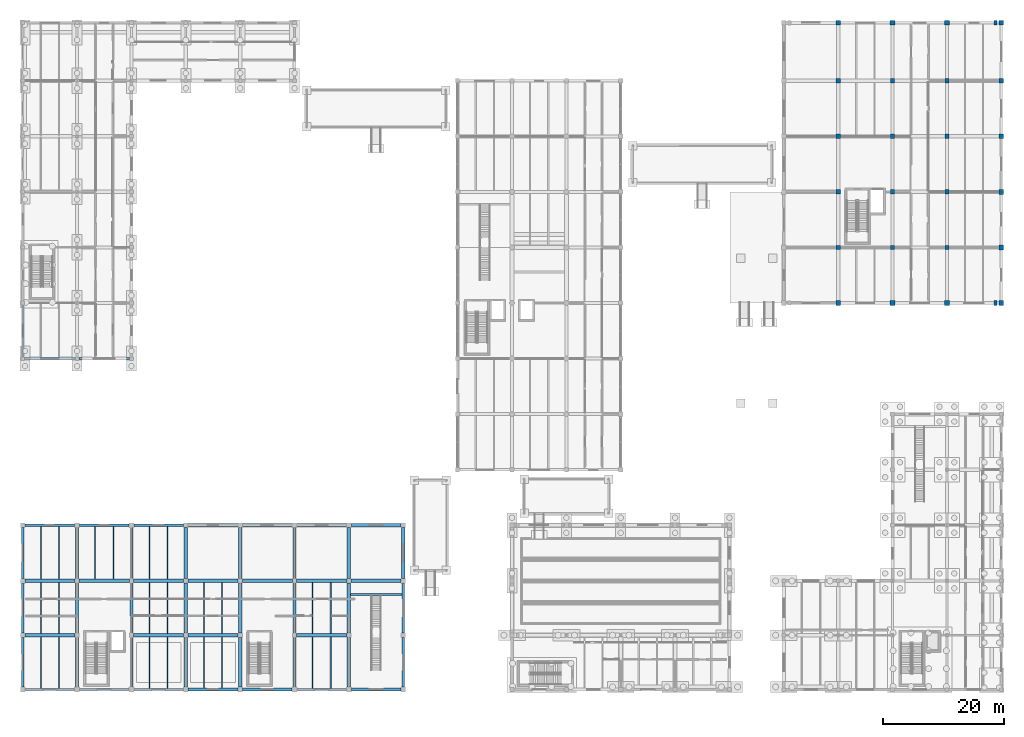
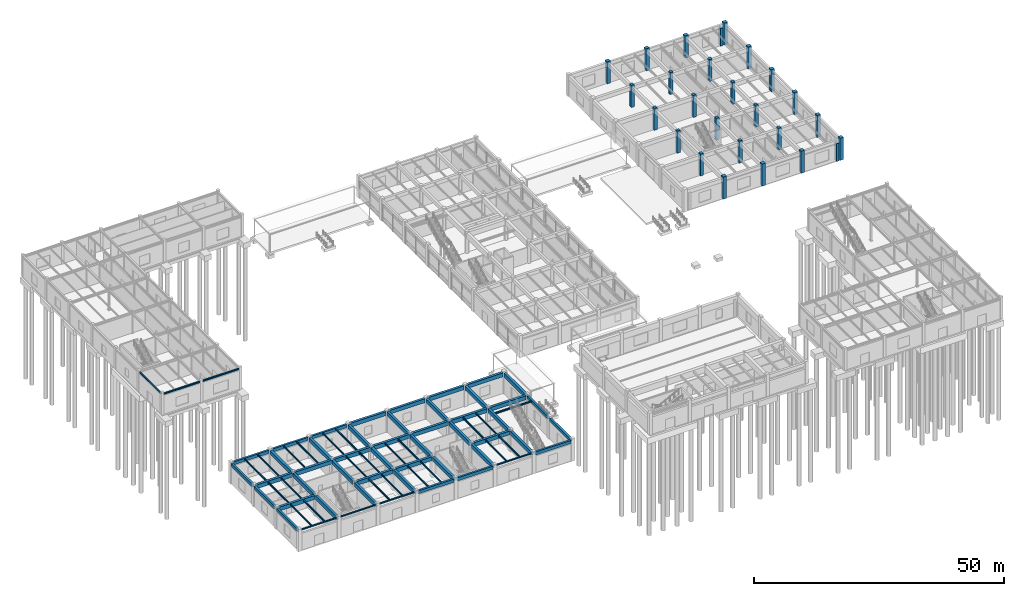
# One storey, part 26 of 76: 75 beams, 26 columns.
"""IFC4 building model written with IfcOpenShell, lengths in metres."""

import ifcopenshell
import ifcopenshell.guid

model = None  # the IFC model being written
_history = None  # IfcOwnerHistory: only IFC2X3 demands one
_inside = {}  # id of a spatial element -> (the spatial element, [elements in it])
_under = {}  # id of a project, library or spatial element -> (it, [spatial elements below it])
_declared = {}  # id of a project -> (the project, [libraries it declares])
_typed = {}  # id of a type object -> (the type object, [elements of that type])
_made_of = {}  # id of a material, layer set ... -> (it, [elements and type objects made of it])


def new_model(schema):
    """Start an empty IFC model of exactly this schema.

    Asked for "IFC4X3", IfcOpenShell would pick the latest addendum, in which some entities
    have other attributes; the version numbers below select the first issue.
    IFC2X3 requires an IfcOwnerHistory on every rooted entity: one is made here for all.
    """
    global model, _history
    if schema == "IFC4X3":
        model = ifcopenshell.file(schema_version=(4, 3, 0, 0))
    else:
        model = ifcopenshell.file(schema=schema)
    _inside.clear()
    _under.clear()
    _declared.clear()
    _typed.clear()
    _made_of.clear()
    _history = None
    if model.schema == "IFC2X3":
        org = make("IfcOrganization", Name="unknown")
        user = make(
            "IfcPersonAndOrganization",
            ThePerson=make("IfcPerson", FamilyName="unknown"),
            TheOrganization=org,
        )
        app = make(
            "IfcApplication",
            ApplicationDeveloper=org,
            Version="unknown",
            ApplicationFullName="unknown",
            ApplicationIdentifier="unknown",
        )
        _history = make(
            "IfcOwnerHistory",
            OwningUser=user,
            OwningApplication=app,
            ChangeAction="ADDED",
            CreationDate=0,
        )
    return model


def make(cls, **values):
    """One entity of the class cls with the attributes given. An attribute that is None is left unset."""
    return model.create_entity(
        cls, **{name: value for name, value in values.items() if value is not None}
    )


def rooted(cls, **values):
    """An entity with a GlobalId (a new one), such as an element, a storey or a relation."""
    return make(cls, GlobalId=ifcopenshell.guid.new(), OwnerHistory=_history, **values)


def si_unit(unit_type, name, prefix=None):
    """IfcSIUnit, for example si_unit("LENGTHUNIT", "METRE", prefix="MILLI")."""
    return make("IfcSIUnit", UnitType=unit_type, Prefix=prefix, Name=name)


def assignment(units):
    """IfcUnitAssignment: the units of a project."""
    return None if units is None else make("IfcUnitAssignment", Units=units)


def point(xyz):
    """IfcCartesianPoint."""
    return None if xyz is None else make("IfcCartesianPoint", Coordinates=xyz)


def direction(xyz):
    """IfcDirection."""
    return None if xyz is None else make("IfcDirection", DirectionRatios=xyz)


def frame(location, z_axis=None, x_axis=None):
    """IfcAxis2Placement3D, a coordinate frame: its origin and axes. An axis left out is left unset."""
    return make(
        "IfcAxis2Placement3D",
        Location=point(location),
        Axis=direction(z_axis),
        RefDirection=direction(x_axis),
    )


def frame_2d(location, x_axis=None):
    """IfcAxis2Placement2D, a coordinate frame in the plane: its origin and x axis."""
    return make(
        "IfcAxis2Placement2D", Location=point(location), RefDirection=direction(x_axis)
    )


def origin():
    """The frame at (0, 0, 0) with its axes left unset."""
    return frame((0.0, 0.0, 0.0))


def origin_2d():
    """The frame at (0, 0) in the plane with its x axis left unset."""
    return frame_2d((0.0, 0.0))


def place(relative_to, where):
    """IfcLocalPlacement: puts the frame where relative to a parent placement (None: the world)."""
    return make(
        "IfcLocalPlacement", PlacementRelTo=relative_to, RelativePlacement=where
    )


def context(
    kind, dimensions, precision=None, world=None, true_north=None, identifier=None
):
    """IfcGeometricRepresentationContext, for example the 3D "Model" context."""
    return make(
        "IfcGeometricRepresentationContext",
        ContextIdentifier=identifier,
        ContextType=kind,
        CoordinateSpaceDimension=dimensions,
        Precision=precision,
        WorldCoordinateSystem=world,
        TrueNorth=true_north,
    )


def subcontext(parent, identifier, kind, view, scale=None):
    """IfcGeometricRepresentationSubContext, for example "Body" below "Model"."""
    return make(
        "IfcGeometricRepresentationSubContext",
        ContextIdentifier=identifier,
        ContextType=kind,
        ParentContext=parent,
        TargetScale=scale,
        TargetView=view,
    )


def project(units=None, contexts=None):
    """IfcProject with its units and contexts."""
    return rooted(
        "IfcProject",
        Name="project",
        RepresentationContexts=contexts,
        UnitsInContext=assignment(units),
    )


def spatial(cls, under=None, at=None, **own):
    """A site, building, storey or space (cls), placed at a placement, below another one or the project."""
    s = rooted(cls, ObjectPlacement=at, **own)
    if under is not None:
        _under.setdefault(under.id(), (under, []))[1].append(s)
    return s


def profile(cls, at=None, kind="AREA", **sizes):
    """A parametric profile (cls). Its sizes go by their IFC names, for example OverallWidth=200.0."""
    return make(cls, ProfileType=kind, Position=at, **sizes)


def rectangle(**sizes):
    """IfcRectangleProfileDef."""
    return profile("IfcRectangleProfileDef", **sizes)


def i_section(**sizes):
    """IfcIShapeProfileDef."""
    return profile("IfcIShapeProfileDef", **sizes)


def extrude(swept, where, along, depth):
    """IfcExtrudedAreaSolid: the profile swept, set in the frame where, extruded along a direction by depth."""
    return make(
        "IfcExtrudedAreaSolid",
        SweptArea=swept,
        Position=where,
        ExtrudedDirection=direction(along),
        Depth=depth,
    )


def shape(context_of_items, identifier, shape_type, items):
    """IfcShapeRepresentation: the items that make up one representation, for example the "Body"."""
    return make(
        "IfcShapeRepresentation",
        ContextOfItems=context_of_items,
        RepresentationIdentifier=identifier,
        RepresentationType=shape_type,
        Items=items,
    )


def material(Name=None, Category=None):
    """IfcMaterial."""
    return make("IfcMaterial", Name=Name, Category=Category)


def material_profile(
    of_material, cross_section, Name=None, Category=None, Priority=None
):
    """IfcMaterialProfile: a cross section and its material."""
    return make(
        "IfcMaterialProfile",
        Name=Name,
        Material=of_material,
        Profile=cross_section,
        Priority=Priority,
        Category=Category,
    )


def profile_set(profiles, Name=None, composite=None):
    """IfcMaterialProfileSet."""
    return make(
        "IfcMaterialProfileSet",
        Name=Name,
        MaterialProfiles=profiles,
        CompositeProfile=composite,
    )


def made_of(thing, what):
    """Note that an element or type object is made of a material, layer set ...; save() writes the relation."""
    if what is not None:
        _made_of.setdefault(what.id(), (what, []))[1].append(thing)
    return thing


def type_object(cls, material=None, **own):
    """A type object (cls), such as IfcWallType, which elements share."""
    return made_of(rooted(cls, **own), material)


def element(
    cls,
    number,
    at=None,
    inside=None,
    cuts=None,
    type_object=None,
    material=None,
    context=None,
    identifier="Body",
    shape_type=None,
    held_by="IfcProductDefinitionShape",
    body=None,
    shapes=None,
    **own,
):
    """One element of the class cls, such as IfcWall. Its Tag is "e" and its number.

    at: its placement. inside: the storey or other place that contains it. cuts: it is an
    opening in that element (IfcRelVoidsElement). A single representation is given by context,
    identifier, shape_type and body (its items); several are given by shapes. held_by: the class
    of the entity that holds the representations. save() writes the other relations.
    """
    e = rooted(cls, Tag="e%d" % number, ObjectPlacement=at, **own)
    if body is not None:
        shapes = [shape(context, identifier, shape_type, body)]
    if shapes is not None:
        e.Representation = make(held_by, Representations=shapes)
    if inside is not None:
        _inside.setdefault(inside.id(), (inside, []))[1].append(e)
    if cuts is not None:
        rooted(
            "IfcRelVoidsElement", RelatingBuildingElement=cuts, RelatedOpeningElement=e
        )
    if type_object is not None:
        _typed.setdefault(type_object.id(), (type_object, []))[1].append(e)
    return made_of(e, material)


def aggregate(whole, parts):
    """IfcRelAggregates: a whole, such as a stair, and the parts it consists of."""
    return rooted("IfcRelAggregates", RelatingObject=whole, RelatedObjects=parts)


def save(model, path):
    """Write the relations noted so far, then the file.

    IfcRelAggregates (storeys below a building ...), IfcRelContainedInSpatialStructure (elements
    in a storey), IfcRelDefinesByType, IfcRelAssociatesMaterial and IfcRelDeclares: one each for
    every whole, place, type object, material and project.
    """
    for whole, parts in _under.values():
        aggregate(whole, parts)
    for where, things in _inside.values():
        rooted(
            "IfcRelContainedInSpatialStructure",
            RelatedElements=things,
            RelatingStructure=where,
        )
    for kind, things in _typed.values():
        rooted("IfcRelDefinesByType", RelatedObjects=things, RelatingType=kind)
    for what, things in _made_of.values():
        rooted("IfcRelAssociatesMaterial", RelatedObjects=things, RelatingMaterial=what)
    for by, libraries in _declared.values():
        rooted("IfcRelDeclares", RelatingContext=by, RelatedDefinitions=libraries)
    model.write(path)


model = new_model("IFC4")

# Units and contexts
model_context = context("Model", 3, precision=1e-05, world=origin(), true_north=direction((0.0, 1.0)))
body_context = subcontext(model_context, "Body", "Model", "MODEL_VIEW")
ifc_project = project(units=[si_unit("LENGTHUNIT", "METRE"), si_unit("AREAUNIT", "SQUARE_METRE"), si_unit("VOLUMEUNIT", "CUBIC_METRE"), si_unit("PLANEANGLEUNIT", "RADIAN"), si_unit("MASSUNIT", "GRAM", prefix="KILO")], contexts=[model_context])

# Site, building, storey
site_placement = place(None, origin())
site = spatial("IfcSite", under=ifc_project, at=site_placement, CompositionType="ELEMENT")
building_placement = place(site_placement, origin())
building = spatial("IfcBuilding", under=site, at=building_placement, Name="Bozkorgan Art Gallery", CompositionType="ELEMENT")
storey_placement = place(building_placement, origin())
storey = spatial("IfcBuildingStorey", under=building, at=storey_placement, Name="L00", CompositionType="ELEMENT", Elevation=0.0)

# Columns
ifc_material_1 = material(Name="Concrete C40/50", Category="concrete")
ifc_material_profile_1 = material_profile(ifc_material_1, rectangle(XDim=0.699951171875, YDim=0.699951171875, at=origin_2d()), Name="RC 700x700")
ifc_profile_set_1 = profile_set([ifc_material_profile_1], Name="Concrete C40/50")
column_type_1 = type_object("IfcColumnType", Name="COLUMN-C-11", PredefinedType="COLUMN", material=ifc_profile_set_1)
for number, where, z_axis, x_axis, name in (
    (1, (137.0, 75.199951171875, 0.0), (0.0, 0.0, 1.0), (1.0, 0.0, 0.0), "V5 L00 column (137.0, 75.2)"),
    (2, (137.0, 84.39990234375, 0.0), (0.0, 0.0, 1.0), (1.0, 0.0, 0.0), "V5 L00 column (137.0, 84.4)"),
    (3, (137.0, 93.60009765625, 0.0), (0.0, 0.0, 1.0), (1.0, 0.0, 0.0), "V5 L00 column (137.0, 93.6)"),
    (4, (137.0, 102.800048828125, 0.0), (0.0, 0.0, 1.0), (1.0, 0.0, 0.0), "V5 L00 column (137.0, 102.8)"),
    (5, (146.0, 75.199951171875, 0.0), (0.0, 0.0, 1.0), (1.0, 0.0, 0.0), "V5 L00 column (146.0, 75.2)"),
    (6, (146.0, 84.39990234375, 0.0), (0.0, 0.0, 1.0), (1.0, 0.0, 0.0), "V5 L00 column (146.0, 84.4)"),
    (7, (146.0, 93.60009765625, 0.0), (0.0, 0.0, 1.0), (1.0, 0.0, 0.0), "V5 L00 column (146.0, 93.6)"),
    (8, (146.0, 102.800048828125, 0.0), (0.0, 0.0, 1.0), (1.0, 0.0, 0.0), "V5 L00 column (146.0, 102.8)"),
    (9, (155.0, 75.199951171875, 0.0), (0.0, 0.0, 1.0), (1.0, 0.0, 0.0), "V5 L00 column (155.0, 75.2)"),
    (10, (155.0, 84.39990234375, 0.0), (0.0, 0.0, 1.0), (1.0, 0.0, 0.0), "V5 L00 column (155.0, 84.4)"),
    (11, (155.0, 93.60009765625, 0.0), (0.0, 0.0, 1.0), (1.0, 0.0, 0.0), "V5 L00 column (155.0, 93.6)"),
    (12, (155.0, 102.800048828125, 0.0), (0.0, 0.0, 1.0), (1.0, 0.0, 0.0), "V5 L00 column (155.0, 102.8)"),
):
    element("IfcColumn", number, at=place(storey_placement, frame(where, z_axis=z_axis, x_axis=x_axis)), inside=storey, type_object=column_type_1, Name=name, PredefinedType="COLUMN", context=body_context, shape_type="SweptSolid", body=[
        extrude(rectangle(XDim=0.699951171875, YDim=0.699951171875, at=origin_2d()), origin(), (0.0, 0.0, 1.0), 5.39990234375),
    ])
ifc_material_profile_2 = material_profile(ifc_material_1, rectangle(XDim=0.800048828125, YDim=0.800048828125, at=origin_2d()), Name="RC 800x800")
ifc_profile_set_2 = profile_set([ifc_material_profile_2], Name="Concrete C40/50")
column_type_2 = type_object("IfcColumnType", Name="COLUMN-C-45", PredefinedType="COLUMN", material=ifc_profile_set_2)
for number, where, z_axis, x_axis, name in (
    (13, (137.0, 66.0, 0.0), (0.0, 0.0, 1.0), (1.0, 0.0, 0.0), "V5 L00 column (137.0, 66.0)"),
    (14, (137.0, 112.39990234375, 0.0), (0.0, 0.0, 1.0), (1.0, 0.0, 0.0), "V5 L00 column (137.0, 112.4)"),
    (15, (146.0, 66.0, 0.0), (0.0, 0.0, 1.0), (1.0, 0.0, 0.0), "V5 L00 column (146.0, 66.0)"),
    (16, (146.0, 112.39990234375, 0.0), (0.0, 0.0, 1.0), (1.0, 0.0, 0.0), "V5 L00 column (146.0, 112.4)"),
    (17, (155.0, 66.0, 0.0), (0.0, 0.0, 1.0), (1.0, 0.0, 0.0), "V5 L00 column (155.0, 66.0)"),
    (18, (155.0, 112.39990234375, 0.0), (0.0, 0.0, 1.0), (1.0, 0.0, 0.0), "V5 L00 column (155.0, 112.4)"),
    (19, (164.0, 66.0, 0.0), (0.0, 0.0, 1.0), (1.0, 0.0, 0.0), "V5 L00 column (164.0, 66.0)"),
    (20, (164.0, 75.199951171875, 0.0), (0.0, 0.0, 1.0), (1.0, 0.0, 0.0), "V5 L00 column (164.0, 75.2)"),
    (21, (164.0, 84.39990234375, 0.0), (0.0, 0.0, 1.0), (1.0, 0.0, 0.0), "V5 L00 column (164.0, 84.4)"),
    (22, (164.0, 93.60009765625, 0.0), (0.0, 0.0, 1.0), (1.0, 0.0, 0.0), "V5 L00 column (164.0, 93.6)"),
    (23, (164.0, 102.800048828125, 0.0), (0.0, 0.0, 1.0), (1.0, 0.0, 0.0), "V5 L00 column (164.0, 102.8)"),
    (24, (164.0, 112.39990234375, 0.0), (0.0, 0.0, 1.0), (1.0, 0.0, 0.0), "V5 L00 column (164.0, 112.4)"),
):
    element("IfcColumn", number, at=place(storey_placement, frame(where, z_axis=z_axis, x_axis=x_axis)), inside=storey, type_object=column_type_2, Name=name, PredefinedType="COLUMN", context=body_context, shape_type="SweptSolid", body=[
        extrude(rectangle(XDim=0.800048828125, YDim=0.800048828125, at=origin_2d()), origin(), (0.0, 0.0, 1.0), 5.39990234375),
    ])
ifc_material_profile_3 = material_profile(ifc_material_1, rectangle(XDim=0.5, YDim=0.800048828125, at=origin_2d()), Name="RC 500x800")
ifc_profile_set_3 = profile_set([ifc_material_profile_3], Name="Concrete C40/50")
column_type_3 = type_object("IfcColumnType", Name="COLUMN-PL-73", PredefinedType="PILASTER", material=ifc_profile_set_3)
for number, where, z_axis, x_axis, name in (
    (25, (163.050048828125, 66.0, 0.0), (0.0, 0.0, 1.0), (1.0, 0.0, 0.0), "V5 L00 corner masonry pilaster 6"),
    (26, (163.050048828125, 112.39990234375, 0.0), (0.0, 0.0, 1.0), (1.0, 0.0, 0.0), "V5 L00 corner masonry pilaster 8"),
):
    element("IfcColumn", number, at=place(storey_placement, frame(where, z_axis=z_axis, x_axis=x_axis)), inside=storey, type_object=column_type_3, Name=name, PredefinedType="PILASTER", context=body_context, shape_type="SweptSolid", body=[
        extrude(rectangle(XDim=0.5, YDim=0.800048828125, at=origin_2d()), origin(), (0.0, 0.0, 1.0), 4.35009765625),
    ])

# Beams
ifc_material_2 = material(Name="Concrete C35/45", Category="concrete")
ifc_material_profile_4 = material_profile(ifc_material_2, rectangle(XDim=0.550048828125, YDim=0.949951171875, at=origin_2d()), Name="RC 550x950")
ifc_profile_set_4 = profile_set([ifc_material_profile_4], Name="Concrete C35/45")
beam_type_1 = type_object("IfcBeamType", Name="BEAM-BM-97", PredefinedType="BEAM", material=ifc_profile_set_4)
beam_1_placement = place(storey_placement, frame((2.39990234375, 11.0, 4.5849609375), z_axis=(1.0, 0.0, 0.0), x_axis=(0.0, 1.0, 0.0)))
element("IfcBeam", 27, at=beam_1_placement, inside=storey, type_object=beam_type_1, Name="V1 L00 beam X (2-11, 11.0)", PredefinedType="BEAM", context=body_context, shape_type="SweptSolid", body=[
    extrude(rectangle(XDim=0.550048828125, YDim=0.949951171875, at=origin_2d()), origin(), (0.0, 0.0, 1.0), 8.25),
])
for number, where, z_axis, x_axis, name in (
    (28, (20.35009765625, 11.0, 4.5849609375), (1.0, 0.0, 0.0), (0.0, 1.0, 0.0), "V1 L00 beam X (20-29, 11.0)"),
    (29, (29.35009765625, 11.0, 4.5849609375), (1.0, 0.0, 0.0), (0.0, 1.0, 0.0), "V1 L00 beam X (29-38, 11.0)"),
    (30, (47.35009765625, 11.0, 4.5849609375), (1.0, 0.0, 0.0), (0.0, 1.0, 0.0), "V1 L00 beam X (47-56, 11.0)"),
):
    element("IfcBeam", number, at=place(storey_placement, frame(where, z_axis=z_axis, x_axis=x_axis)), inside=storey, type_object=beam_type_1, Name=name, PredefinedType="BEAM", context=body_context, shape_type="SweptSolid", body=[
        extrude(rectangle(XDim=0.550048828125, YDim=0.949951171875, at=origin_2d()), origin(), (0.0, 0.0, 1.0), 8.2998046875),
    ])
beam_2_placement = place(storey_placement, frame((2.39990234375, 20.0, 4.5849609375), z_axis=(1.0, 0.0, 0.0), x_axis=(0.0, 1.0, 0.0)))
element("IfcBeam", 31, at=beam_2_placement, inside=storey, type_object=beam_type_1, Name="V1 L00 beam X (2-11, 20.0)", PredefinedType="BEAM", context=body_context, shape_type="SweptSolid", body=[
    extrude(rectangle(XDim=0.550048828125, YDim=0.949951171875, at=origin_2d()), origin(), (0.0, 0.0, 1.0), 8.25),
])
for number, where, z_axis, x_axis, name in (
    (32, (11.35009765625, 20.0, 4.5849609375), (1.0, 0.0, 0.0), (0.0, 1.0, 0.0), "V1 L00 beam X (11-20, 20.0)"),
    (33, (20.35009765625, 20.0, 4.5849609375), (1.0, 0.0, 0.0), (0.0, 1.0, 0.0), "V1 L00 beam X (20-29, 20.0)"),
    (34, (29.35009765625, 20.0, 4.5849609375), (1.0, 0.0, 0.0), (0.0, 1.0, 0.0), "V1 L00 beam X (29-38, 20.0)"),
    (35, (38.35009765625, 20.0, 4.5849609375), (1.0, 0.0, 0.0), (0.0, 1.0, 0.0), "V1 L00 beam X (38-47, 20.0)"),
    (36, (47.35009765625, 20.0, 4.5849609375), (1.0, 0.0, 0.0), (0.0, 1.0, 0.0), "V1 L00 beam X (47-56, 20.0)"),
):
    element("IfcBeam", number, at=place(storey_placement, frame(where, z_axis=z_axis, x_axis=x_axis)), inside=storey, type_object=beam_type_1, Name=name, PredefinedType="BEAM", context=body_context, shape_type="SweptSolid", body=[
        extrude(rectangle(XDim=0.550048828125, YDim=0.949951171875, at=origin_2d()), origin(), (0.0, 0.0, 1.0), 8.2998046875),
    ])
beam_3_placement = place(storey_placement, frame((56.35009765625, 20.0, 4.5849609375), z_axis=(1.0, 0.0, 0.0), x_axis=(0.0, 1.0, 0.0)))
element("IfcBeam", 37, at=beam_3_placement, inside=storey, type_object=beam_type_1, Name="V1 L00 beam X (56-65, 20.0)", PredefinedType="BEAM", context=body_context, shape_type="SweptSolid", body=[
    extrude(rectangle(XDim=0.550048828125, YDim=0.949951171875, at=origin_2d()), origin(), (0.0, 0.0, 1.0), 8.25),
])
for number, where, z_axis, x_axis, name in (
    (38, (29.39990234375, 29.199951171875, 4.5849609375), (1.0, 0.0, 0.0), (0.0, 1.0, 0.0), "V1 L00 beam X (29-38, 29.2)"),
    (39, (38.39990234375, 29.199951171875, 4.5849609375), (1.0, 0.0, 0.0), (0.0, 1.0, 0.0), "V1 L00 beam X (38-47, 29.2)"),
    (40, (47.39990234375, 29.199951171875, 4.5849609375), (1.0, 0.0, 0.0), (0.0, 1.0, 0.0), "V1 L00 beam X (47-56, 29.2)"),
    (41, (56.39990234375, 29.199951171875, 4.5849609375), (1.0, 0.0, 0.0), (0.0, 1.0, 0.0), "V1 L00 beam X (56-65, 29.2)"),
):
    element("IfcBeam", number, at=place(storey_placement, frame(where, z_axis=z_axis, x_axis=x_axis)), inside=storey, type_object=beam_type_1, Name=name, PredefinedType="BEAM", context=body_context, shape_type="SweptSolid", body=[
        extrude(rectangle(XDim=0.550048828125, YDim=0.949951171875, at=origin_2d()), origin(), (0.0, 0.0, 1.0), 8.2001953125),
    ])
beam_4_placement = place(storey_placement, frame((11.0, 2.39990234375, 4.5849609375), z_axis=(0.0, 1.0, 0.0), x_axis=(-1.0, 0.0, 0.0)))
element("IfcBeam", 42, at=beam_4_placement, inside=storey, type_object=beam_type_1, Name="V1 L00 beam Y (11, 2.0-11.0)", PredefinedType="BEAM", context=body_context, shape_type="SweptSolid", body=[
    extrude(rectangle(XDim=0.550048828125, YDim=0.949951171875, at=origin_2d()), origin(), (0.0, 0.0, 1.0), 8.25),
])
beam_5_placement = place(storey_placement, frame((11.0, 11.35009765625, 4.5849609375), z_axis=(0.0, 1.0, 0.0), x_axis=(-1.0, 0.0, 0.0)))
element("IfcBeam", 43, at=beam_5_placement, inside=storey, type_object=beam_type_1, Name="V1 L00 beam Y (11, 11.0-20.0)", PredefinedType="BEAM", context=body_context, shape_type="SweptSolid", body=[
    extrude(rectangle(XDim=0.550048828125, YDim=0.949951171875, at=origin_2d()), origin(), (0.0, 0.0, 1.0), 8.2998046875),
])
beam_6_placement = place(storey_placement, frame((11.0, 20.35009765625, 4.5849609375), z_axis=(0.0, 1.0, 0.0), x_axis=(-1.0, 0.0, 0.0)))
element("IfcBeam", 44, at=beam_6_placement, inside=storey, type_object=beam_type_1, Name="V1 L00 beam Y (11, 20.0-29.2)", PredefinedType="BEAM", context=body_context, shape_type="SweptSolid", body=[
    extrude(rectangle(XDim=0.550048828125, YDim=0.949951171875, at=origin_2d()), origin(), (0.0, 0.0, 1.0), 8.449951171875),
])
beam_7_placement = place(storey_placement, frame((20.0, 2.39990234375, 4.5849609375), z_axis=(0.0, 1.0, 0.0), x_axis=(-1.0, 0.0, 0.0)))
element("IfcBeam", 45, at=beam_7_placement, inside=storey, type_object=beam_type_1, Name="V1 L00 beam Y (20, 2.0-11.0)", PredefinedType="BEAM", context=body_context, shape_type="SweptSolid", body=[
    extrude(rectangle(XDim=0.550048828125, YDim=0.949951171875, at=origin_2d()), origin(), (0.0, 0.0, 1.0), 8.25),
])
beam_8_placement = place(storey_placement, frame((20.0, 11.35009765625, 4.5849609375), z_axis=(0.0, 1.0, 0.0), x_axis=(-1.0, 0.0, 0.0)))
element("IfcBeam", 46, at=beam_8_placement, inside=storey, type_object=beam_type_1, Name="V1 L00 beam Y (20, 11.0-20.0)", PredefinedType="BEAM", context=body_context, shape_type="SweptSolid", body=[
    extrude(rectangle(XDim=0.550048828125, YDim=0.949951171875, at=origin_2d()), origin(), (0.0, 0.0, 1.0), 8.2998046875),
])
beam_9_placement = place(storey_placement, frame((20.0, 20.35009765625, 4.5849609375), z_axis=(0.0, 1.0, 0.0), x_axis=(-1.0, 0.0, 0.0)))
element("IfcBeam", 47, at=beam_9_placement, inside=storey, type_object=beam_type_1, Name="V1 L00 beam Y (20, 20.0-29.2)", PredefinedType="BEAM", context=body_context, shape_type="SweptSolid", body=[
    extrude(rectangle(XDim=0.550048828125, YDim=0.949951171875, at=origin_2d()), origin(), (0.0, 0.0, 1.0), 8.449951171875),
])
beam_10_placement = place(storey_placement, frame((29.0, 2.39990234375, 4.5849609375), z_axis=(0.0, 1.0, 0.0), x_axis=(-1.0, 0.0, 0.0)))
element("IfcBeam", 48, at=beam_10_placement, inside=storey, type_object=beam_type_1, Name="V1 L00 beam Y (29, 2.0-11.0)", PredefinedType="BEAM", context=body_context, shape_type="SweptSolid", body=[
    extrude(rectangle(XDim=0.550048828125, YDim=0.949951171875, at=origin_2d()), origin(), (0.0, 0.0, 1.0), 8.25),
])
beam_11_placement = place(storey_placement, frame((29.0, 11.35009765625, 4.5849609375), z_axis=(0.0, 1.0, 0.0), x_axis=(-1.0, 0.0, 0.0)))
element("IfcBeam", 49, at=beam_11_placement, inside=storey, type_object=beam_type_1, Name="V1 L00 beam Y (29, 11.0-20.0)", PredefinedType="BEAM", context=body_context, shape_type="SweptSolid", body=[
    extrude(rectangle(XDim=0.550048828125, YDim=0.949951171875, at=origin_2d()), origin(), (0.0, 0.0, 1.0), 8.2998046875),
])
beam_12_placement = place(storey_placement, frame((29.0, 20.35009765625, 4.5849609375), z_axis=(0.0, 1.0, 0.0), x_axis=(-1.0, 0.0, 0.0)))
element("IfcBeam", 50, at=beam_12_placement, inside=storey, type_object=beam_type_1, Name="V1 L00 beam Y (29, 20.0-29.2)", PredefinedType="BEAM", context=body_context, shape_type="SweptSolid", body=[
    extrude(rectangle(XDim=0.550048828125, YDim=0.949951171875, at=origin_2d()), origin(), (0.0, 0.0, 1.0), 8.449951171875),
])
beam_13_placement = place(storey_placement, frame((38.0, 2.39990234375, 4.5849609375), z_axis=(0.0, 1.0, 0.0), x_axis=(-1.0, 0.0, 0.0)))
element("IfcBeam", 51, at=beam_13_placement, inside=storey, type_object=beam_type_1, Name="V1 L00 beam Y (38, 2.0-11.0)", PredefinedType="BEAM", context=body_context, shape_type="SweptSolid", body=[
    extrude(rectangle(XDim=0.550048828125, YDim=0.949951171875, at=origin_2d()), origin(), (0.0, 0.0, 1.0), 8.25),
])
beam_14_placement = place(storey_placement, frame((38.0, 11.35009765625, 4.5849609375), z_axis=(0.0, 1.0, 0.0), x_axis=(-1.0, 0.0, 0.0)))
element("IfcBeam", 52, at=beam_14_placement, inside=storey, type_object=beam_type_1, Name="V1 L00 beam Y (38, 11.0-20.0)", PredefinedType="BEAM", context=body_context, shape_type="SweptSolid", body=[
    extrude(rectangle(XDim=0.550048828125, YDim=0.949951171875, at=origin_2d()), origin(), (0.0, 0.0, 1.0), 8.2998046875),
])
beam_15_placement = place(storey_placement, frame((38.0, 20.35009765625, 4.5849609375), z_axis=(0.0, 1.0, 0.0), x_axis=(-1.0, 0.0, 0.0)))
element("IfcBeam", 53, at=beam_15_placement, inside=storey, type_object=beam_type_1, Name="V1 L00 beam Y (38, 20.0-29.2)", PredefinedType="BEAM", context=body_context, shape_type="SweptSolid", body=[
    extrude(rectangle(XDim=0.550048828125, YDim=0.949951171875, at=origin_2d()), origin(), (0.0, 0.0, 1.0), 8.449951171875),
])
beam_16_placement = place(storey_placement, frame((47.0, 2.39990234375, 4.5849609375), z_axis=(0.0, 1.0, 0.0), x_axis=(-1.0, 0.0, 0.0)))
element("IfcBeam", 54, at=beam_16_placement, inside=storey, type_object=beam_type_1, Name="V1 L00 beam Y (47, 2.0-11.0)", PredefinedType="BEAM", context=body_context, shape_type="SweptSolid", body=[
    extrude(rectangle(XDim=0.550048828125, YDim=0.949951171875, at=origin_2d()), origin(), (0.0, 0.0, 1.0), 8.25),
])
beam_17_placement = place(storey_placement, frame((47.0, 11.35009765625, 4.5849609375), z_axis=(0.0, 1.0, 0.0), x_axis=(-1.0, 0.0, 0.0)))
element("IfcBeam", 55, at=beam_17_placement, inside=storey, type_object=beam_type_1, Name="V1 L00 beam Y (47, 11.0-20.0)", PredefinedType="BEAM", context=body_context, shape_type="SweptSolid", body=[
    extrude(rectangle(XDim=0.550048828125, YDim=0.949951171875, at=origin_2d()), origin(), (0.0, 0.0, 1.0), 8.2998046875),
])
beam_18_placement = place(storey_placement, frame((47.0, 20.35009765625, 4.5849609375), z_axis=(0.0, 1.0, 0.0), x_axis=(-1.0, 0.0, 0.0)))
element("IfcBeam", 56, at=beam_18_placement, inside=storey, type_object=beam_type_1, Name="V1 L00 beam Y (47, 20.0-29.2)", PredefinedType="BEAM", context=body_context, shape_type="SweptSolid", body=[
    extrude(rectangle(XDim=0.550048828125, YDim=0.949951171875, at=origin_2d()), origin(), (0.0, 0.0, 1.0), 8.449951171875),
])
beam_19_placement = place(storey_placement, frame((56.0, 2.39990234375, 4.5849609375), z_axis=(0.0, 1.0, 0.0), x_axis=(-1.0, 0.0, 0.0)))
element("IfcBeam", 57, at=beam_19_placement, inside=storey, type_object=beam_type_1, Name="V1 L00 beam Y (56, 2.0-11.0)", PredefinedType="BEAM", context=body_context, shape_type="SweptSolid", body=[
    extrude(rectangle(XDim=0.550048828125, YDim=0.949951171875, at=origin_2d()), origin(), (0.0, 0.0, 1.0), 8.25),
])
beam_20_placement = place(storey_placement, frame((56.0, 11.35009765625, 4.5849609375), z_axis=(0.0, 1.0, 0.0), x_axis=(-1.0, 0.0, 0.0)))
element("IfcBeam", 58, at=beam_20_placement, inside=storey, type_object=beam_type_1, Name="V1 L00 beam Y (56, 11.0-20.0)", PredefinedType="BEAM", context=body_context, shape_type="SweptSolid", body=[
    extrude(rectangle(XDim=0.550048828125, YDim=0.949951171875, at=origin_2d()), origin(), (0.0, 0.0, 1.0), 8.2998046875),
])
beam_21_placement = place(storey_placement, frame((56.0, 20.35009765625, 4.5849609375), z_axis=(0.0, 1.0, 0.0), x_axis=(-1.0, 0.0, 0.0)))
element("IfcBeam", 59, at=beam_21_placement, inside=storey, type_object=beam_type_1, Name="V1 L00 beam Y (56, 20.0-29.2)", PredefinedType="BEAM", context=body_context, shape_type="SweptSolid", body=[
    extrude(rectangle(XDim=0.550048828125, YDim=0.949951171875, at=origin_2d()), origin(), (0.0, 0.0, 1.0), 8.449951171875),
])
beam_22_placement = place(storey_placement, frame((65.0, 20.39990234375, 4.5849609375), z_axis=(0.0, 1.0, 0.0), x_axis=(-1.0, 0.0, 0.0)))
element("IfcBeam", 60, at=beam_22_placement, inside=storey, type_object=beam_type_1, Name="V1 L00 beam Y (65, 20.0-29.2)", PredefinedType="BEAM", context=body_context, shape_type="SweptSolid", body=[
    extrude(rectangle(XDim=0.550048828125, YDim=0.949951171875, at=origin_2d()), origin(), (0.0, 0.0, 1.0), 8.400146484375),
])
ifc_material_3 = material(Name="Steel S355J2", Category="steel")
ifc_material_profile_5 = material_profile(ifc_material_3, i_section(OverallWidth=0.179931640625, OverallDepth=0.39990234375, WebThickness=0.008544921875, FlangeThickness=0.013427734375, FilletRadius=0.02099609375, at=origin_2d()), Name="IPE 400")
ifc_profile_set_5 = profile_set([ifc_material_profile_5], Name="Steel S355J2")
beam_type_2 = type_object("IfcBeamType", Name="BEAM-JS-83", PredefinedType="JOIST", material=ifc_profile_set_5)
for number, where, z_axis, x_axis, name in (
    (61, (5.0, 2.139892578125, 4.860107421875), (0.0, 1.0, 0.0), (-1.0, 0.0, 0.0), "V1 L00 secondary joist (2-11, 2.0-11.0) #1"),
    (62, (8.0, 2.139892578125, 4.860107421875), (0.0, 1.0, 0.0), (-1.0, 0.0, 0.0), "V1 L00 secondary joist (2-11, 2.0-11.0) #2"),
):
    element("IfcBeam", number, at=place(storey_placement, frame(where, z_axis=z_axis, x_axis=x_axis)), inside=storey, type_object=beam_type_2, Name=name, PredefinedType="JOIST", context=body_context, shape_type="SweptSolid", body=[
        extrude(i_section(OverallWidth=0.179931640625, OverallDepth=0.39990234375, WebThickness=0.008544921875, FlangeThickness=0.013427734375, FilletRadius=0.02099609375, at=origin_2d()), origin(), (0.0, 0.0, 1.0), 8.585205078125),
    ])
for number, where, z_axis, x_axis, name in (
    (63, (5.0, 11.27490234375, 4.860107421875), (0.0, 1.0, 0.0), (-1.0, 0.0, 0.0), "V1 L00 secondary joist (2-11, 11.0-20.0) #1"),
    (64, (8.0, 11.27490234375, 4.860107421875), (0.0, 1.0, 0.0), (-1.0, 0.0, 0.0), "V1 L00 secondary joist (2-11, 11.0-20.0) #2"),
):
    element("IfcBeam", number, at=place(storey_placement, frame(where, z_axis=z_axis, x_axis=x_axis)), inside=storey, type_object=beam_type_2, Name=name, PredefinedType="JOIST", context=body_context, shape_type="SweptSolid", body=[
        extrude(i_section(OverallWidth=0.179931640625, OverallDepth=0.39990234375, WebThickness=0.008544921875, FlangeThickness=0.013427734375, FilletRadius=0.02099609375, at=origin_2d()), origin(), (0.0, 0.0, 1.0), 8.4501953125),
    ])
for number, where, z_axis, x_axis, name in (
    (65, (5.0, 20.27490234375, 4.860107421875), (0.0, 1.0, 0.0), (-1.0, 0.0, 0.0), "V1 L00 secondary joist (2-11, 20.0-29.2) #1"),
    (66, (8.0, 20.27490234375, 4.860107421875), (0.0, 1.0, 0.0), (-1.0, 0.0, 0.0), "V1 L00 secondary joist (2-11, 20.0-29.2) #2"),
    (67, (14.0, 20.27490234375, 4.860107421875), (0.0, 1.0, 0.0), (-1.0, 0.0, 0.0), "V1 L00 secondary joist (11-20, 20.0-29.2) #1"),
    (68, (17.0, 20.27490234375, 4.860107421875), (0.0, 1.0, 0.0), (-1.0, 0.0, 0.0), "V1 L00 secondary joist (11-20, 20.0-29.2) #2"),
):
    element("IfcBeam", number, at=place(storey_placement, frame(where, z_axis=z_axis, x_axis=x_axis)), inside=storey, type_object=beam_type_2, Name=name, PredefinedType="JOIST", context=body_context, shape_type="SweptSolid", body=[
        extrude(i_section(OverallWidth=0.179931640625, OverallDepth=0.39990234375, WebThickness=0.008544921875, FlangeThickness=0.013427734375, FilletRadius=0.02099609375, at=origin_2d()), origin(), (0.0, 0.0, 1.0), 8.7001953125),
    ])
for number, where, z_axis, x_axis, name in (
    (69, (23.0, 2.139892578125, 4.860107421875), (0.0, 1.0, 0.0), (-1.0, 0.0, 0.0), "V1 L00 secondary joist (20-29, 2.0-11.0) #1"),
    (70, (26.0, 2.139892578125, 4.860107421875), (0.0, 1.0, 0.0), (-1.0, 0.0, 0.0), "V1 L00 secondary joist (20-29, 2.0-11.0) #2"),
):
    element("IfcBeam", number, at=place(storey_placement, frame(where, z_axis=z_axis, x_axis=x_axis)), inside=storey, type_object=beam_type_2, Name=name, PredefinedType="JOIST", context=body_context, shape_type="SweptSolid", body=[
        extrude(i_section(OverallWidth=0.179931640625, OverallDepth=0.39990234375, WebThickness=0.008544921875, FlangeThickness=0.013427734375, FilletRadius=0.02099609375, at=origin_2d()), origin(), (0.0, 0.0, 1.0), 8.585205078125),
    ])
for number, where, z_axis, x_axis, name in (
    (71, (23.0, 11.27490234375, 4.860107421875), (0.0, 1.0, 0.0), (-1.0, 0.0, 0.0), "V1 L00 secondary joist (20-29, 11.0-20.0) #1"),
    (72, (26.0, 11.27490234375, 4.860107421875), (0.0, 1.0, 0.0), (-1.0, 0.0, 0.0), "V1 L00 secondary joist (20-29, 11.0-20.0) #2"),
):
    element("IfcBeam", number, at=place(storey_placement, frame(where, z_axis=z_axis, x_axis=x_axis)), inside=storey, type_object=beam_type_2, Name=name, PredefinedType="JOIST", context=body_context, shape_type="SweptSolid", body=[
        extrude(i_section(OverallWidth=0.179931640625, OverallDepth=0.39990234375, WebThickness=0.008544921875, FlangeThickness=0.013427734375, FilletRadius=0.02099609375, at=origin_2d()), origin(), (0.0, 0.0, 1.0), 8.4501953125),
    ])
for number, where, z_axis, x_axis, name in (
    (73, (23.0, 20.27490234375, 4.860107421875), (0.0, 1.0, 0.0), (-1.0, 0.0, 0.0), "V1 L00 secondary joist (20-29, 20.0-29.2) #1"),
    (74, (26.0, 20.27490234375, 4.860107421875), (0.0, 1.0, 0.0), (-1.0, 0.0, 0.0), "V1 L00 secondary joist (20-29, 20.0-29.2) #2"),
):
    element("IfcBeam", number, at=place(storey_placement, frame(where, z_axis=z_axis, x_axis=x_axis)), inside=storey, type_object=beam_type_2, Name=name, PredefinedType="JOIST", context=body_context, shape_type="SweptSolid", body=[
        extrude(i_section(OverallWidth=0.179931640625, OverallDepth=0.39990234375, WebThickness=0.008544921875, FlangeThickness=0.013427734375, FilletRadius=0.02099609375, at=origin_2d()), origin(), (0.0, 0.0, 1.0), 8.7001953125),
    ])
for number, where, z_axis, x_axis, name in (
    (75, (32.0, 2.22509765625, 4.860107421875), (0.0, 1.0, 0.0), (-1.0, 0.0, 0.0), "V1 L00 secondary joist (29-38, 2.0-11.0) #1"),
    (76, (35.0, 2.22509765625, 4.860107421875), (0.0, 1.0, 0.0), (-1.0, 0.0, 0.0), "V1 L00 secondary joist (29-38, 2.0-11.0) #2"),
):
    element("IfcBeam", number, at=place(storey_placement, frame(where, z_axis=z_axis, x_axis=x_axis)), inside=storey, type_object=beam_type_2, Name=name, PredefinedType="JOIST", context=body_context, shape_type="SweptSolid", body=[
        extrude(i_section(OverallWidth=0.179931640625, OverallDepth=0.39990234375, WebThickness=0.008544921875, FlangeThickness=0.013427734375, FilletRadius=0.02099609375, at=origin_2d()), origin(), (0.0, 0.0, 1.0), 8.5),
    ])
for number, where, z_axis, x_axis, name in (
    (77, (32.0, 11.27490234375, 4.860107421875), (0.0, 1.0, 0.0), (-1.0, 0.0, 0.0), "V1 L00 secondary joist (29-38, 11.0-20.0) #1"),
    (78, (35.0, 11.27490234375, 4.860107421875), (0.0, 1.0, 0.0), (-1.0, 0.0, 0.0), "V1 L00 secondary joist (29-38, 11.0-20.0) #2"),
):
    element("IfcBeam", number, at=place(storey_placement, frame(where, z_axis=z_axis, x_axis=x_axis)), inside=storey, type_object=beam_type_2, Name=name, PredefinedType="JOIST", context=body_context, shape_type="SweptSolid", body=[
        extrude(i_section(OverallWidth=0.179931640625, OverallDepth=0.39990234375, WebThickness=0.008544921875, FlangeThickness=0.013427734375, FilletRadius=0.02099609375, at=origin_2d()), origin(), (0.0, 0.0, 1.0), 8.4501953125),
    ])
for number, where, z_axis, x_axis, name in (
    (79, (50.0, 2.139892578125, 4.860107421875), (0.0, 1.0, 0.0), (-1.0, 0.0, 0.0), "V1 L00 secondary joist (47-56, 2.0-11.0) #1"),
    (80, (53.0, 2.139892578125, 4.860107421875), (0.0, 1.0, 0.0), (-1.0, 0.0, 0.0), "V1 L00 secondary joist (47-56, 2.0-11.0) #2"),
):
    element("IfcBeam", number, at=place(storey_placement, frame(where, z_axis=z_axis, x_axis=x_axis)), inside=storey, type_object=beam_type_2, Name=name, PredefinedType="JOIST", context=body_context, shape_type="SweptSolid", body=[
        extrude(i_section(OverallWidth=0.179931640625, OverallDepth=0.39990234375, WebThickness=0.008544921875, FlangeThickness=0.013427734375, FilletRadius=0.02099609375, at=origin_2d()), origin(), (0.0, 0.0, 1.0), 8.585205078125),
    ])
for number, where, z_axis, x_axis, name in (
    (81, (50.0, 11.27490234375, 4.860107421875), (0.0, 1.0, 0.0), (-1.0, 0.0, 0.0), "V1 L00 secondary joist (47-56, 11.0-20.0) #1"),
    (82, (53.0, 11.27490234375, 4.860107421875), (0.0, 1.0, 0.0), (-1.0, 0.0, 0.0), "V1 L00 secondary joist (47-56, 11.0-20.0) #2"),
):
    element("IfcBeam", number, at=place(storey_placement, frame(where, z_axis=z_axis, x_axis=x_axis)), inside=storey, type_object=beam_type_2, Name=name, PredefinedType="JOIST", context=body_context, shape_type="SweptSolid", body=[
        extrude(i_section(OverallWidth=0.179931640625, OverallDepth=0.39990234375, WebThickness=0.008544921875, FlangeThickness=0.013427734375, FilletRadius=0.02099609375, at=origin_2d()), origin(), (0.0, 0.0, 1.0), 8.4501953125),
    ])
ifc_material_profile_6 = material_profile(ifc_material_3, i_section(OverallWidth=0.300048828125, OverallDepth=0.2900390625, WebThickness=0.008544921875, FlangeThickness=0.013916015625, FilletRadius=0.027099609375, at=origin_2d()), Name="HEA 300")
ifc_profile_set_6 = profile_set([ifc_material_profile_6], Name="Steel S355J2")
beam_type_3 = type_object("IfcBeamType", Name="BEAM-LN-10", PredefinedType="LINTEL", material=ifc_profile_set_6)
beam_23_placement = place(storey_placement, frame((2.0, 57.10009765625, 4.9150390625), z_axis=(0.0, 1.0, 0.0), x_axis=(-1.0, 0.0, 0.0)))
element("IfcBeam", 83, at=beam_23_placement, inside=storey, type_object=beam_type_3, Name="V2 L00 lintel Y (2, 56.8-66.0)", PredefinedType="LINTEL", context=body_context, shape_type="SweptSolid", body=[
    extrude(i_section(OverallWidth=0.300048828125, OverallDepth=0.2900390625, WebThickness=0.008544921875, FlangeThickness=0.013916015625, FilletRadius=0.027099609375, at=origin_2d()), origin(), (0.0, 0.0, 1.0), 8.599853515625),
])
ifc_material_profile_7 = material_profile(ifc_material_3, i_section(OverallWidth=0.280029296875, OverallDepth=0.27001953125, WebThickness=0.008056640625, FlangeThickness=0.012939453125, FilletRadius=0.02392578125, at=origin_2d()), Name="HEA 280")
ifc_profile_set_7 = profile_set([ifc_material_profile_7], Name="Steel S355J2")
beam_type_4 = type_object("IfcBeamType", Name="BEAM-LN-17", PredefinedType="LINTEL", material=ifc_profile_set_7)
for number, where, z_axis, x_axis, name in (
    (84, (2.39990234375, 2.0, 4.925048828125), (1.0, 0.0, 0.0), (0.0, 1.0, 0.0), "V1 L00 lintel X (2-11, 2.0)"),
    (85, (11.39990234375, 2.0, 4.925048828125), (1.0, 0.0, 0.0), (0.0, 1.0, 0.0), "V1 L00 lintel X (11-20, 2.0)"),
    (86, (20.39990234375, 2.0, 4.925048828125), (1.0, 0.0, 0.0), (0.0, 1.0, 0.0), "V1 L00 lintel X (20-29, 2.0)"),
    (87, (47.39990234375, 2.0, 4.925048828125), (1.0, 0.0, 0.0), (0.0, 1.0, 0.0), "V1 L00 lintel X (47-56, 2.0)"),
):
    element("IfcBeam", number, at=place(storey_placement, frame(where, z_axis=z_axis, x_axis=x_axis)), inside=storey, type_object=beam_type_4, Name=name, PredefinedType="LINTEL", context=body_context, shape_type="SweptSolid", body=[
        extrude(i_section(OverallWidth=0.280029296875, OverallDepth=0.27001953125, WebThickness=0.008056640625, FlangeThickness=0.012939453125, FilletRadius=0.02392578125, at=origin_2d()), origin(), (0.0, 0.0, 1.0), 8.2001953125),
    ])
ifc_material_profile_8 = material_profile(ifc_material_2, rectangle(XDim=0.449951171875, YDim=0.75, at=origin_2d()), Name="RC 450x750")
ifc_profile_set_8 = profile_set([ifc_material_profile_8], Name="Concrete C35/45")
beam_type_5 = type_object("IfcBeamType", Name="BEAM-SP-27", PredefinedType="SPANDREL", material=ifc_profile_set_8)
for number, where, z_axis, x_axis, name in (
    (88, (29.39990234375, 2.0, 4.68505859375), (1.0, 0.0, 0.0), (0.0, 1.0, 0.0), "V1 L00 spandrel X (29-38, 2.0)"),
    (89, (38.39990234375, 2.0, 4.68505859375), (1.0, 0.0, 0.0), (0.0, 1.0, 0.0), "V1 L00 spandrel X (38-47, 2.0)"),
    (90, (56.39990234375, 2.0, 4.68505859375), (1.0, 0.0, 0.0), (0.0, 1.0, 0.0), "V1 L00 spandrel X (56-65, 2.0)"),
    (91, (2.39990234375, 29.199951171875, 4.68505859375), (1.0, 0.0, 0.0), (0.0, 1.0, 0.0), "V1 L00 spandrel X (2-11, 29.2)"),
    (92, (11.39990234375, 29.199951171875, 4.68505859375), (1.0, 0.0, 0.0), (0.0, 1.0, 0.0), "V1 L00 spandrel X (11-20, 29.2)"),
    (93, (20.39990234375, 29.199951171875, 4.68505859375), (1.0, 0.0, 0.0), (0.0, 1.0, 0.0), "V1 L00 spandrel X (20-29, 29.2)"),
    (94, (2.0, 2.39990234375, 4.68505859375), (0.0, 1.0, 0.0), (-1.0, 0.0, 0.0), "V1 L00 spandrel Y (2, 2.0-11.0)"),
    (95, (2.0, 11.39990234375, 4.68505859375), (0.0, 1.0, 0.0), (-1.0, 0.0, 0.0), "V1 L00 spandrel Y (2, 11.0-20.0)"),
):
    element("IfcBeam", number, at=place(storey_placement, frame(where, z_axis=z_axis, x_axis=x_axis)), inside=storey, type_object=beam_type_5, Name=name, PredefinedType="SPANDREL", context=body_context, shape_type="SweptSolid", body=[
        extrude(rectangle(XDim=0.449951171875, YDim=0.75, at=origin_2d()), origin(), (0.0, 0.0, 1.0), 8.2001953125),
    ])
beam_24_placement = place(storey_placement, frame((2.0, 20.39990234375, 4.68505859375), z_axis=(0.0, 1.0, 0.0), x_axis=(-1.0, 0.0, 0.0)))
element("IfcBeam", 96, at=beam_24_placement, inside=storey, type_object=beam_type_5, Name="V1 L00 spandrel Y (2, 20.0-29.2)", PredefinedType="SPANDREL", context=body_context, shape_type="SweptSolid", body=[
    extrude(rectangle(XDim=0.449951171875, YDim=0.75, at=origin_2d()), origin(), (0.0, 0.0, 1.0), 8.400146484375),
])
for number, where, z_axis, x_axis, name in (
    (97, (65.0, 2.39990234375, 4.68505859375), (0.0, 1.0, 0.0), (-1.0, 0.0, 0.0), "V1 L00 spandrel Y (65, 2.0-11.0)"),
    (98, (65.0, 11.39990234375, 4.68505859375), (0.0, 1.0, 0.0), (-1.0, 0.0, 0.0), "V1 L00 spandrel Y (65, 11.0-20.0)"),
):
    element("IfcBeam", number, at=place(storey_placement, frame(where, z_axis=z_axis, x_axis=x_axis)), inside=storey, type_object=beam_type_5, Name=name, PredefinedType="SPANDREL", context=body_context, shape_type="SweptSolid", body=[
        extrude(rectangle(XDim=0.449951171875, YDim=0.75, at=origin_2d()), origin(), (0.0, 0.0, 1.0), 8.2001953125),
    ])
ifc_material_profile_9 = material_profile(ifc_material_3, i_section(OverallWidth=0.300048828125, OverallDepth=0.35009765625, WebThickness=0.010009765625, FlangeThickness=0.017578125, FilletRadius=0.027099609375, at=origin_2d()), Name="HEA 360")
ifc_profile_set_9 = profile_set([ifc_material_profile_9], Name="Steel S355J2")
beam_type_6 = type_object("IfcBeamType", Name="BEAM-SP-97", PredefinedType="SPANDREL", material=ifc_profile_set_9)
for number, where, z_axis, x_axis, name in (
    (99, (2.300048828125, 56.800048828125, 4.885009765625), (1.0, 0.0, 0.0), (0.0, 1.0, 0.0), "V2 L00 spandrel X (2-11, 56.8)"),
    (100, (11.300048828125, 56.800048828125, 4.885009765625), (1.0, 0.0, 0.0), (0.0, 1.0, 0.0), "V2 L00 spandrel X (11-20, 56.8)"),
):
    element("IfcBeam", number, at=place(storey_placement, frame(where, z_axis=z_axis, x_axis=x_axis)), inside=storey, type_object=beam_type_6, Name=name, PredefinedType="SPANDREL", context=body_context, shape_type="SweptSolid", body=[
        extrude(i_section(OverallWidth=0.300048828125, OverallDepth=0.35009765625, WebThickness=0.010009765625, FlangeThickness=0.017578125, FilletRadius=0.027099609375, at=origin_2d()), origin(), (0.0, 0.0, 1.0), 8.39990234375),
    ])
ifc_material_profile_10 = material_profile(ifc_material_3, i_section(OverallWidth=0.300048828125, OverallDepth=0.35009765625, WebThickness=0.010009765625, FlangeThickness=0.017578125, FilletRadius=0.027099609375, at=origin_2d()), Name="HEA 360")
ifc_profile_set_10 = profile_set([ifc_material_profile_10], Name="Steel S355J2")
beam_type_7 = type_object("IfcBeamType", Name="BM-ATR-TRIM", PredefinedType="BEAM", material=ifc_profile_set_10)
beam_25_placement = place(storey_placement, frame((56.27490234375, 17.75, 4.885009765625), z_axis=(1.0, 0.0, 0.0), x_axis=(0.0, 1.0, 0.0)))
element("IfcBeam", 101, at=beam_25_placement, inside=storey, type_object=beam_type_7, Name="ST7 upper arrival trimmer beam", PredefinedType="BEAM", context=body_context, shape_type="SweptSolid", body=[
    extrude(i_section(OverallWidth=0.300048828125, OverallDepth=0.35009765625, WebThickness=0.010009765625, FlangeThickness=0.017578125, FilletRadius=0.027099609375, at=origin_2d()), origin(), (0.0, 0.0, 1.0), 8.5),
])

save(model, "model.ifc")
